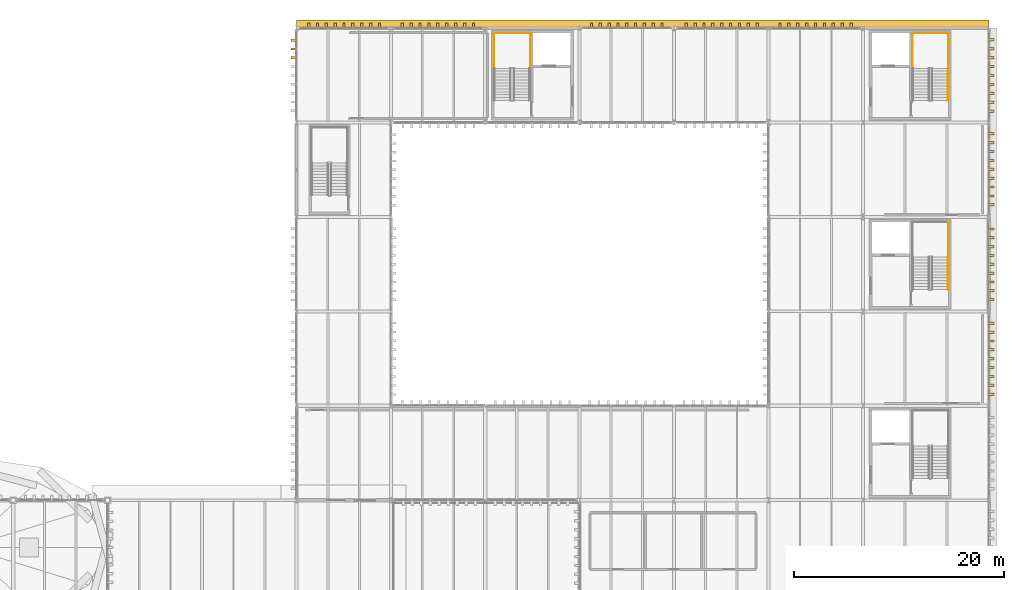
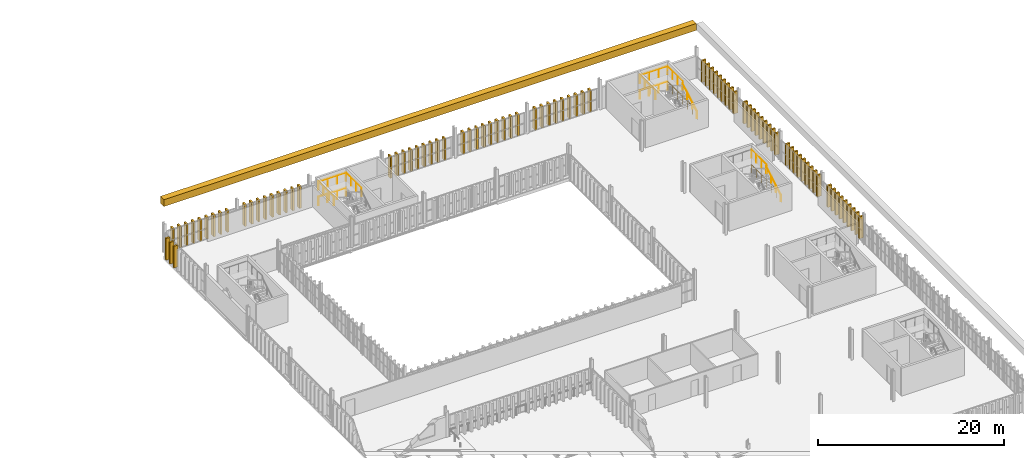
# One storey, part 102 of 102: 84 shading devices, 13 railings, 1 covering.
"""IFC4 building model written with IfcOpenShell, lengths in metres."""

from ifc_helpers import new_model, si_unit, direction, frame, origin, origin_2d, place, context, subcontext, project, spatial, rectangle, circle, extrude, material, layer, layer_set, type_object, element, save


model = new_model("IFC4")

# Units and contexts
model_context = context("Model", 3, precision=1e-05, world=origin(), true_north=direction((0.0, 1.0)))
body_context = subcontext(model_context, "Body", "Model", "MODEL_VIEW")
ifc_project = project(units=[si_unit("LENGTHUNIT", "METRE"), si_unit("AREAUNIT", "SQUARE_METRE"), si_unit("VOLUMEUNIT", "CUBIC_METRE"), si_unit("PLANEANGLEUNIT", "RADIAN"), si_unit("MASSUNIT", "GRAM", prefix="KILO")], contexts=[model_context])

# Site, building, storey
site_placement = place(None, origin())
site = spatial("IfcSite", under=ifc_project, at=site_placement, CompositionType="ELEMENT")
building_placement = place(site_placement, origin())
building = spatial("IfcBuilding", under=site, at=building_placement, Name="Barlavento Convention Centre", CompositionType="ELEMENT")
storey_placement = place(building_placement, frame((0.0, 0.0, 22.800048828125)))
storey = spatial("IfcBuildingStorey", under=building, at=storey_placement, Name="L04", CompositionType="ELEMENT", Elevation=22.800048828125)

# Covering
ifc_material_1 = material(Name="Macau dark grey granite cladding", Category="masonry")
ifc_layer = layer(ifc_material_1, 0.050048828125)
ifc_layer_set = layer_set([ifc_layer], Name="ARC-COV-CLAD-GRANITE")
covering_type = type_object("IfcCoveringType", Name="ARC-COV-CLAD-GRANITE", PredefinedType="CLADDING", material=ifc_layer_set)
covering_placement = place(storey_placement, frame((159.0, 99.39990234375, 6.10009765625), z_axis=(0.0, 0.0, 1.0), x_axis=(1.0, 0.0, 0.0)))
element("IfcCovering", 1, at=covering_placement, inside=storey, type_object=covering_type, Name="Postmodern stepped stone cornice band CLD01", PredefinedType="CLADDING", context=body_context, shape_type="SweptSolid", body=[
    extrude(rectangle(XDim=66.0, YDim=0.75, at=origin_2d()), origin(), (0.0, 0.0, 1.0), 0.89990234375),
])

# Railings
ifc_material_2 = material(Name="Stainless steel and laminated glass balustrade", Category="steel")
railing_type_1 = type_object("IfcRailingType", Name="ARC-RAL-BAL-1100", PredefinedType="BALUSTRADE", material=ifc_material_2)
railing_1_placement = place(storey_placement, frame((188.14990234375, 77.169921875, 2.0)))
element("IfcRailing", 2, at=railing_1_placement, inside=storey, type_object=railing_type_1, Name="L04 landing guard GR01", PredefinedType="BALUSTRADE", context=body_context, shape_type="SweptSolid", body=[
    extrude(circle(Radius=0.02392578125, at=origin_2d()), frame((0.0, 0.0, 1.076171875), z_axis=(0.0, 1.0, 0.0), x_axis=(-1.0, 0.0, 0.0)), (0.0, 0.0, 1.0), 3.360107421875),
    extrude(circle(Radius=0.02099609375, at=origin_2d()), origin(), (0.0, 0.0, 1.0), 1.052001953125),
    extrude(circle(Radius=0.02099609375, at=origin_2d()), frame((0.0, 1.1201171875, 0.0)), (0.0, 0.0, 1.0), 1.052001953125),
    extrude(circle(Radius=0.02099609375, at=origin_2d()), frame((0.0, 2.239990234375, 0.0)), (0.0, 0.0, 1.0), 1.052001953125),
    extrude(circle(Radius=0.02099609375, at=origin_2d()), frame((0.0, 3.360107421875, 0.0)), (0.0, 0.0, 1.0), 1.052001953125),
])
railing_2_placement = place(storey_placement, frame((188.14990234375, 74.114990234375, 0.0)))
element("IfcRailing", 3, at=railing_2_placement, inside=storey, type_object=railing_type_1, Name="L04 stairwell perimeter guard GR01", PredefinedType="BALUSTRADE", context=body_context, shape_type="SweptSolid", body=[
    extrude(circle(Radius=0.02392578125, at=origin_2d()), frame((0.0, 0.0, 1.076171875), z_axis=(0.0, 1.0, 0.0), x_axis=(-1.0, 0.0, 0.0)), (0.0, 0.0, 1.0), 6.4150390625),
    extrude(circle(Radius=0.02099609375, at=origin_2d()), origin(), (0.0, 0.0, 1.0), 1.052001953125),
    extrude(circle(Radius=0.02099609375, at=origin_2d()), frame((0.0, 1.069091796875, 0.0)), (0.0, 0.0, 1.0), 1.052001953125),
    extrude(circle(Radius=0.02099609375, at=origin_2d()), frame((0.0, 2.138427734375, 0.0)), (0.0, 0.0, 1.0), 1.052001953125),
    extrude(circle(Radius=0.02099609375, at=origin_2d()), frame((0.0, 3.20751953125, 0.0)), (0.0, 0.0, 1.0), 1.052001953125),
    extrude(circle(Radius=0.02099609375, at=origin_2d()), frame((0.0, 4.276611328125, 0.0)), (0.0, 0.0, 1.0), 1.052001953125),
    extrude(circle(Radius=0.02099609375, at=origin_2d()), frame((0.0, 5.345947265625, 0.0)), (0.0, 0.0, 1.0), 1.052001953125),
    extrude(circle(Radius=0.02099609375, at=origin_2d()), frame((0.0, 6.4150390625, 0.0)), (0.0, 0.0, 1.0), 1.052001953125),
])
for number, where, name in (
    (4, (188.14990234375, 95.169921875, 2.0), "L04 landing guard GR01"),
    (5, (184.7099609375, 95.169921875, 2.0), "L04 landing guard GR01"),
):
    element("IfcRailing", number, at=place(storey_placement, frame(where)), inside=storey, type_object=railing_type_1, Name=name, PredefinedType="BALUSTRADE", context=body_context, shape_type="SweptSolid", body=[
        extrude(circle(Radius=0.02392578125, at=origin_2d()), frame((0.0, 0.0, 1.076171875), z_axis=(0.0, 1.0, 0.0), x_axis=(-1.0, 0.0, 0.0)), (0.0, 0.0, 1.0), 3.360107421875),
        extrude(circle(Radius=0.02099609375, at=origin_2d()), origin(), (0.0, 0.0, 1.0), 1.052001953125),
        extrude(circle(Radius=0.02099609375, at=origin_2d()), frame((0.0, 1.1201171875, 0.0)), (0.0, 0.0, 1.0), 1.052001953125),
        extrude(circle(Radius=0.02099609375, at=origin_2d()), frame((0.0, 2.239990234375, 0.0)), (0.0, 0.0, 1.0), 1.052001953125),
        extrude(circle(Radius=0.02099609375, at=origin_2d()), frame((0.0, 3.360107421875, 0.0)), (0.0, 0.0, 1.0), 1.052001953125),
    ])
railing_3_placement = place(storey_placement, frame((188.14990234375, 98.530029296875, 2.0)))
element("IfcRailing", 6, at=railing_3_placement, inside=storey, type_object=railing_type_1, Name="L04 landing guard GR01", PredefinedType="BALUSTRADE", context=body_context, shape_type="SweptSolid", body=[
    extrude(circle(Radius=0.02392578125, at=origin_2d()), frame((0.0, 0.0, 1.076171875), z_axis=(-1.0, 0.0, 0.0), x_axis=(0.0, -1.0, 0.0)), (0.0, 0.0, 1.0), 3.43994140625),
    extrude(circle(Radius=0.02099609375, at=origin_2d()), origin(), (0.0, 0.0, 1.0), 1.052001953125),
    extrude(circle(Radius=0.02099609375, at=origin_2d()), frame((-1.146728515625, 0.0, 0.0)), (0.0, 0.0, 1.0), 1.052001953125),
    extrude(circle(Radius=0.02099609375, at=origin_2d()), frame((-2.293212890625, 0.0, 0.0)), (0.0, 0.0, 1.0), 1.052001953125),
    extrude(circle(Radius=0.02099609375, at=origin_2d()), frame((-3.43994140625, 0.0, 0.0)), (0.0, 0.0, 1.0), 1.052001953125),
])
railing_4_placement = place(storey_placement, frame((188.14990234375, 92.114990234375, 0.0)))
element("IfcRailing", 7, at=railing_4_placement, inside=storey, type_object=railing_type_1, Name="L04 stairwell perimeter guard GR01", PredefinedType="BALUSTRADE", context=body_context, shape_type="SweptSolid", body=[
    extrude(circle(Radius=0.02392578125, at=origin_2d()), frame((0.0, 0.0, 1.076171875), z_axis=(0.0, 1.0, 0.0), x_axis=(-1.0, 0.0, 0.0)), (0.0, 0.0, 1.0), 6.4150390625),
    extrude(circle(Radius=0.02099609375, at=origin_2d()), origin(), (0.0, 0.0, 1.0), 1.052001953125),
    extrude(circle(Radius=0.02099609375, at=origin_2d()), frame((0.0, 1.069091796875, 0.0)), (0.0, 0.0, 1.0), 1.052001953125),
    extrude(circle(Radius=0.02099609375, at=origin_2d()), frame((0.0, 2.138427734375, 0.0)), (0.0, 0.0, 1.0), 1.052001953125),
    extrude(circle(Radius=0.02099609375, at=origin_2d()), frame((0.0, 3.20751953125, 0.0)), (0.0, 0.0, 1.0), 1.052001953125),
    extrude(circle(Radius=0.02099609375, at=origin_2d()), frame((0.0, 4.276611328125, 0.0)), (0.0, 0.0, 1.0), 1.052001953125),
    extrude(circle(Radius=0.02099609375, at=origin_2d()), frame((0.0, 5.345947265625, 0.0)), (0.0, 0.0, 1.0), 1.052001953125),
    extrude(circle(Radius=0.02099609375, at=origin_2d()), frame((0.0, 6.4150390625, 0.0)), (0.0, 0.0, 1.0), 1.052001953125),
])
railing_5_placement = place(storey_placement, frame((188.14990234375, 98.530029296875, 0.0)))
element("IfcRailing", 8, at=railing_5_placement, inside=storey, type_object=railing_type_1, Name="L04 stairwell perimeter guard GR01", PredefinedType="BALUSTRADE", context=body_context, shape_type="SweptSolid", body=[
    extrude(circle(Radius=0.02392578125, at=origin_2d()), frame((0.0, 0.0, 1.076171875), z_axis=(-1.0, 0.0, 0.0), x_axis=(0.0, -1.0, 0.0)), (0.0, 0.0, 1.0), 3.43994140625),
    extrude(circle(Radius=0.02099609375, at=origin_2d()), origin(), (0.0, 0.0, 1.0), 1.052001953125),
    extrude(circle(Radius=0.02099609375, at=origin_2d()), frame((-1.146728515625, 0.0, 0.0)), (0.0, 0.0, 1.0), 1.052001953125),
    extrude(circle(Radius=0.02099609375, at=origin_2d()), frame((-2.293212890625, 0.0, 0.0)), (0.0, 0.0, 1.0), 1.052001953125),
    extrude(circle(Radius=0.02099609375, at=origin_2d()), frame((-3.43994140625, 0.0, 0.0)), (0.0, 0.0, 1.0), 1.052001953125),
])
for number, where, name in (
    (9, (148.2900390625, 95.169921875, 2.0), "L04 landing guard GR01"),
    (10, (144.85009765625, 95.169921875, 2.0), "L04 landing guard GR01"),
):
    element("IfcRailing", number, at=place(storey_placement, frame(where)), inside=storey, type_object=railing_type_1, Name=name, PredefinedType="BALUSTRADE", context=body_context, shape_type="SweptSolid", body=[
        extrude(circle(Radius=0.02392578125, at=origin_2d()), frame((0.0, 0.0, 1.076171875), z_axis=(0.0, 1.0, 0.0), x_axis=(-1.0, 0.0, 0.0)), (0.0, 0.0, 1.0), 3.360107421875),
        extrude(circle(Radius=0.02099609375, at=origin_2d()), origin(), (0.0, 0.0, 1.0), 1.052001953125),
        extrude(circle(Radius=0.02099609375, at=origin_2d()), frame((0.0, 1.1201171875, 0.0)), (0.0, 0.0, 1.0), 1.052001953125),
        extrude(circle(Radius=0.02099609375, at=origin_2d()), frame((0.0, 2.239990234375, 0.0)), (0.0, 0.0, 1.0), 1.052001953125),
        extrude(circle(Radius=0.02099609375, at=origin_2d()), frame((0.0, 3.360107421875, 0.0)), (0.0, 0.0, 1.0), 1.052001953125),
    ])
for number, where, name in (
    (11, (148.2900390625, 98.530029296875, 2.0), "L04 landing guard GR01"),
    (12, (148.2900390625, 98.530029296875, 0.0), "L04 stairwell perimeter guard GR01"),
):
    element("IfcRailing", number, at=place(storey_placement, frame(where)), inside=storey, type_object=railing_type_1, Name=name, PredefinedType="BALUSTRADE", context=body_context, shape_type="SweptSolid", body=[
        extrude(circle(Radius=0.02392578125, at=origin_2d()), frame((0.0, 0.0, 1.076171875), z_axis=(-1.0, 0.0, 0.0), x_axis=(0.0, -1.0, 0.0)), (0.0, 0.0, 1.0), 3.43994140625),
        extrude(circle(Radius=0.02099609375, at=origin_2d()), origin(), (0.0, 0.0, 1.0), 1.052001953125),
        extrude(circle(Radius=0.02099609375, at=origin_2d()), frame((-1.146728515625, 0.0, 0.0)), (0.0, 0.0, 1.0), 1.052001953125),
        extrude(circle(Radius=0.02099609375, at=origin_2d()), frame((-2.293212890625, 0.0, 0.0)), (0.0, 0.0, 1.0), 1.052001953125),
        extrude(circle(Radius=0.02099609375, at=origin_2d()), frame((-3.43994140625, 0.0, 0.0)), (0.0, 0.0, 1.0), 1.052001953125),
    ])
ifc_material_3 = material(Name="Brushed stainless steel tubular handrail", Category="steel")
railing_type_2 = type_object("IfcRailingType", Name="ARC-RAL-HR-900", PredefinedType="HANDRAIL", material=ifc_material_3)
for number, where, name in (
    (13, (188.10009765625, 74.090087890625, 0.16650390625), "L04 ST07 stair handrail 1"),
    (14, (188.10009765625, 92.090087890625, 0.16650390625), "L04 ST08 stair handrail 1"),
):
    element("IfcRailing", number, at=place(storey_placement, frame(where)), inside=storey, type_object=railing_type_2, Name=name, PredefinedType="HANDRAIL", context=body_context, shape_type="SweptSolid", body=[
        extrude(circle(Radius=0.02392578125, at=origin_2d()), frame((0.0, 0.0, 0.8759765625), z_axis=(0.0, 0.859260807169, 0.511537745687), x_axis=(-1.0, 0.0, 0.0)), (0.0, 0.0, 1.0), 3.584228515625),
        extrude(circle(Radius=0.02099609375, at=origin_2d()), origin(), (0.0, 0.0, 1.0), 0.851806640625),
        extrude(circle(Radius=0.02099609375, at=origin_2d()), frame((0.0, 1.026611328125, 0.611083984375)), (0.0, 0.0, 1.0), 0.851806640625),
        extrude(circle(Radius=0.02099609375, at=origin_2d()), frame((0.0, 2.05322265625, 1.222412109375)), (0.0, 0.0, 1.0), 0.851806640625),
        extrude(circle(Radius=0.02099609375, at=origin_2d()), frame((0.0, 3.079833984375, 1.83349609375)), (0.0, 0.0, 1.0), 0.851806640625),
    ])

# Shading devices
ifc_material_4 = material(Name="PVDF white extruded aluminium", Category="aluminium")
shading_device_type = type_object("IfcShadingDeviceType", Name="ARC-SHD-FIN-480", PredefinedType="USERDEFINED", material=ifc_material_4)
for number, where, z_axis, x_axis, name in (
    (15, (192.239990234375, 64.10546875, 0.0), (0.0, 0.0, 1.0), (0.0, 1.0, 0.0), "White vertical solar shading fin VF01"),
    (16, (192.239990234375, 64.950927734375, 0.0), (0.0, 0.0, 1.0), (0.0, 1.0, 0.0), "White vertical solar shading fin VF01"),
    (17, (192.239990234375, 65.79638671875, 0.0), (0.0, 0.0, 1.0), (0.0, 1.0, 0.0), "White vertical solar shading fin VF01"),
    (18, (192.239990234375, 66.64208984375, 0.0), (0.0, 0.0, 1.0), (0.0, 1.0, 0.0), "White vertical solar shading fin VF01"),
    (19, (192.239990234375, 67.487548828125, 0.0), (0.0, 0.0, 1.0), (0.0, 1.0, 0.0), "White vertical solar shading fin VF01"),
    (20, (192.239990234375, 68.3330078125, 0.0), (0.0, 0.0, 1.0), (0.0, 1.0, 0.0), "White vertical solar shading fin VF01"),
    (21, (192.239990234375, 69.178466796875, 0.0), (0.0, 0.0, 1.0), (0.0, 1.0, 0.0), "White vertical solar shading fin VF01"),
    (22, (192.239990234375, 70.02392578125, 0.0), (0.0, 0.0, 1.0), (0.0, 1.0, 0.0), "White vertical solar shading fin VF01"),
    (23, (192.239990234375, 70.869384765625, 0.0), (0.0, 0.0, 1.0), (0.0, 1.0, 0.0), "White vertical solar shading fin VF01"),
    (24, (192.239990234375, 73.12548828125, 0.0), (0.0, 0.0, 1.0), (0.0, 1.0, 0.0), "White vertical solar shading fin VF01"),
    (25, (192.239990234375, 73.966064453125, 0.0), (0.0, 0.0, 1.0), (0.0, 1.0, 0.0), "White vertical solar shading fin VF01"),
    (26, (192.239990234375, 74.806396484375, 0.0), (0.0, 0.0, 1.0), (0.0, 1.0, 0.0), "White vertical solar shading fin VF01"),
    (27, (192.239990234375, 75.64697265625, 0.0), (0.0, 0.0, 1.0), (0.0, 1.0, 0.0), "White vertical solar shading fin VF01"),
    (28, (192.239990234375, 76.487548828125, 0.0), (0.0, 0.0, 1.0), (0.0, 1.0, 0.0), "White vertical solar shading fin VF01"),
    (29, (192.239990234375, 77.327880859375, 0.0), (0.0, 0.0, 1.0), (0.0, 1.0, 0.0), "White vertical solar shading fin VF01"),
    (30, (192.239990234375, 78.16845703125, 0.0), (0.0, 0.0, 1.0), (0.0, 1.0, 0.0), "White vertical solar shading fin VF01"),
    (31, (192.239990234375, 79.009033203125, 0.0), (0.0, 0.0, 1.0), (0.0, 1.0, 0.0), "White vertical solar shading fin VF01"),
    (32, (192.239990234375, 79.849609375, 0.0), (0.0, 0.0, 1.0), (0.0, 1.0, 0.0), "White vertical solar shading fin VF01"),
    (33, (192.239990234375, 82.156005859375, 0.0), (0.0, 0.0, 1.0), (0.0, 1.0, 0.0), "White vertical solar shading fin VF01"),
    (34, (192.239990234375, 83.001953125, 0.0), (0.0, 0.0, 1.0), (0.0, 1.0, 0.0), "White vertical solar shading fin VF01"),
    (35, (192.239990234375, 83.847900390625, 0.0), (0.0, 0.0, 1.0), (0.0, 1.0, 0.0), "White vertical solar shading fin VF01"),
    (36, (192.239990234375, 84.694091796875, 0.0), (0.0, 0.0, 1.0), (0.0, 1.0, 0.0), "White vertical solar shading fin VF01"),
    (37, (192.239990234375, 85.5400390625, 0.0), (0.0, 0.0, 1.0), (0.0, 1.0, 0.0), "White vertical solar shading fin VF01"),
    (38, (192.239990234375, 86.385986328125, 0.0), (0.0, 0.0, 1.0), (0.0, 1.0, 0.0), "White vertical solar shading fin VF01"),
    (39, (192.239990234375, 87.23193359375, 0.0), (0.0, 0.0, 1.0), (0.0, 1.0, 0.0), "White vertical solar shading fin VF01"),
    (40, (192.239990234375, 88.077880859375, 0.0), (0.0, 0.0, 1.0), (0.0, 1.0, 0.0), "White vertical solar shading fin VF01"),
    (41, (192.239990234375, 88.924072265625, 0.0), (0.0, 0.0, 1.0), (0.0, 1.0, 0.0), "White vertical solar shading fin VF01"),
    (42, (192.239990234375, 91.0810546875, 0.0), (0.0, 0.0, 1.0), (0.0, 1.0, 0.0), "White vertical solar shading fin VF01"),
    (43, (192.239990234375, 91.931884765625, 0.0), (0.0, 0.0, 1.0), (0.0, 1.0, 0.0), "White vertical solar shading fin VF01"),
    (44, (192.239990234375, 92.782958984375, 0.0), (0.0, 0.0, 1.0), (0.0, 1.0, 0.0), "White vertical solar shading fin VF01"),
    (45, (192.239990234375, 93.634033203125, 0.0), (0.0, 0.0, 1.0), (0.0, 1.0, 0.0), "White vertical solar shading fin VF01"),
    (46, (192.239990234375, 94.485107421875, 0.0), (0.0, 0.0, 1.0), (0.0, 1.0, 0.0), "White vertical solar shading fin VF01"),
    (47, (192.239990234375, 95.3359375, 0.0), (0.0, 0.0, 1.0), (0.0, 1.0, 0.0), "White vertical solar shading fin VF01"),
    (48, (192.239990234375, 96.18701171875, 0.0), (0.0, 0.0, 1.0), (0.0, 1.0, 0.0), "White vertical solar shading fin VF01"),
    (49, (192.239990234375, 97.0380859375, 0.0), (0.0, 0.0, 1.0), (0.0, 1.0, 0.0), "White vertical solar shading fin VF01"),
    (50, (192.239990234375, 97.888916015625, 0.0), (0.0, 0.0, 1.0), (0.0, 1.0, 0.0), "White vertical solar shading fin VF01"),
    (51, (125.760009765625, 96.16845703125, 0.0), (0.0, 0.0, 1.0), (0.0, 1.0, 0.0), "White vertical solar shading fin VF01"),
    (52, (125.760009765625, 97.009033203125, 0.0), (0.0, 0.0, 1.0), (0.0, 1.0, 0.0), "White vertical solar shading fin VF01"),
    (53, (125.760009765625, 97.849609375, 0.0), (0.0, 0.0, 1.0), (0.0, 1.0, 0.0), "White vertical solar shading fin VF01"),
    (54, (127.1640625, 99.239990234375, 0.0), (0.0, 0.0, 1.0), (1.0, 0.0, 0.0), "White vertical solar shading fin VF01"),
    (55, (128.008056640625, 99.239990234375, 0.0), (0.0, 0.0, 1.0), (1.0, 0.0, 0.0), "White vertical solar shading fin VF01"),
    (56, (128.85205078125, 99.239990234375, 0.0), (0.0, 0.0, 1.0), (1.0, 0.0, 0.0), "White vertical solar shading fin VF01"),
    (57, (129.696044921875, 99.239990234375, 0.0), (0.0, 0.0, 1.0), (1.0, 0.0, 0.0), "White vertical solar shading fin VF01"),
    (58, (130.5400390625, 99.239990234375, 0.0), (0.0, 0.0, 1.0), (1.0, 0.0, 0.0), "White vertical solar shading fin VF01"),
    (59, (131.384033203125, 99.239990234375, 0.0), (0.0, 0.0, 1.0), (1.0, 0.0, 0.0), "White vertical solar shading fin VF01"),
    (60, (132.22802734375, 99.239990234375, 0.0), (0.0, 0.0, 1.0), (1.0, 0.0, 0.0), "White vertical solar shading fin VF01"),
    (61, (133.072021484375, 99.239990234375, 0.0), (0.0, 0.0, 1.0), (1.0, 0.0, 0.0), "White vertical solar shading fin VF01"),
    (62, (133.916015625, 99.239990234375, 0.0), (0.0, 0.0, 1.0), (1.0, 0.0, 0.0), "White vertical solar shading fin VF01"),
    (63, (136.089111328125, 99.239990234375, 0.0), (0.0, 0.0, 1.0), (1.0, 0.0, 0.0), "White vertical solar shading fin VF01"),
    (64, (136.93798828125, 99.239990234375, 0.0), (0.0, 0.0, 1.0), (1.0, 0.0, 0.0), "White vertical solar shading fin VF01"),
    (65, (137.787109375, 99.239990234375, 0.0), (0.0, 0.0, 1.0), (1.0, 0.0, 0.0), "White vertical solar shading fin VF01"),
    (66, (138.635986328125, 99.239990234375, 0.0), (0.0, 0.0, 1.0), (1.0, 0.0, 0.0), "White vertical solar shading fin VF01"),
    (67, (139.485107421875, 99.239990234375, 0.0), (0.0, 0.0, 1.0), (1.0, 0.0, 0.0), "White vertical solar shading fin VF01"),
    (68, (140.333984375, 99.239990234375, 0.0), (0.0, 0.0, 1.0), (1.0, 0.0, 0.0), "White vertical solar shading fin VF01"),
    (69, (141.18310546875, 99.239990234375, 0.0), (0.0, 0.0, 1.0), (1.0, 0.0, 0.0), "White vertical solar shading fin VF01"),
    (70, (142.031982421875, 99.239990234375, 0.0), (0.0, 0.0, 1.0), (1.0, 0.0, 0.0), "White vertical solar shading fin VF01"),
    (71, (142.881103515625, 99.239990234375, 0.0), (0.0, 0.0, 1.0), (1.0, 0.0, 0.0), "White vertical solar shading fin VF01"),
    (72, (154.133544921875, 99.239990234375, 0.0), (0.0, 0.0, 1.0), (1.0, 0.0, 0.0), "White vertical solar shading fin VF01"),
    (73, (154.971923828125, 99.239990234375, 0.0), (0.0, 0.0, 1.0), (1.0, 0.0, 0.0), "White vertical solar shading fin VF01"),
    (74, (155.810546875, 99.239990234375, 0.0), (0.0, 0.0, 1.0), (1.0, 0.0, 0.0), "White vertical solar shading fin VF01"),
    (75, (156.64892578125, 99.239990234375, 0.0), (0.0, 0.0, 1.0), (1.0, 0.0, 0.0), "White vertical solar shading fin VF01"),
    (76, (157.487548828125, 99.239990234375, 0.0), (0.0, 0.0, 1.0), (1.0, 0.0, 0.0), "White vertical solar shading fin VF01"),
    (77, (158.325927734375, 99.239990234375, 0.0), (0.0, 0.0, 1.0), (1.0, 0.0, 0.0), "White vertical solar shading fin VF01"),
    (78, (159.16455078125, 99.239990234375, 0.0), (0.0, 0.0, 1.0), (1.0, 0.0, 0.0), "White vertical solar shading fin VF01"),
    (79, (160.0029296875, 99.239990234375, 0.0), (0.0, 0.0, 1.0), (1.0, 0.0, 0.0), "White vertical solar shading fin VF01"),
    (80, (160.841552734375, 99.239990234375, 0.0), (0.0, 0.0, 1.0), (1.0, 0.0, 0.0), "White vertical solar shading fin VF01"),
    (81, (163.1640625, 99.239990234375, 0.0), (0.0, 0.0, 1.0), (1.0, 0.0, 0.0), "White vertical solar shading fin VF01"),
    (82, (164.008056640625, 99.239990234375, 0.0), (0.0, 0.0, 1.0), (1.0, 0.0, 0.0), "White vertical solar shading fin VF01"),
    (83, (164.85205078125, 99.239990234375, 0.0), (0.0, 0.0, 1.0), (1.0, 0.0, 0.0), "White vertical solar shading fin VF01"),
    (84, (165.696044921875, 99.239990234375, 0.0), (0.0, 0.0, 1.0), (1.0, 0.0, 0.0), "White vertical solar shading fin VF01"),
    (85, (166.5400390625, 99.239990234375, 0.0), (0.0, 0.0, 1.0), (1.0, 0.0, 0.0), "White vertical solar shading fin VF01"),
    (86, (167.384033203125, 99.239990234375, 0.0), (0.0, 0.0, 1.0), (1.0, 0.0, 0.0), "White vertical solar shading fin VF01"),
    (87, (168.22802734375, 99.239990234375, 0.0), (0.0, 0.0, 1.0), (1.0, 0.0, 0.0), "White vertical solar shading fin VF01"),
    (88, (169.072021484375, 99.239990234375, 0.0), (0.0, 0.0, 1.0), (1.0, 0.0, 0.0), "White vertical solar shading fin VF01"),
    (89, (169.916015625, 99.239990234375, 0.0), (0.0, 0.0, 1.0), (1.0, 0.0, 0.0), "White vertical solar shading fin VF01"),
    (90, (172.089111328125, 99.239990234375, 0.0), (0.0, 0.0, 1.0), (1.0, 0.0, 0.0), "White vertical solar shading fin VF01"),
    (91, (172.93798828125, 99.239990234375, 0.0), (0.0, 0.0, 1.0), (1.0, 0.0, 0.0), "White vertical solar shading fin VF01"),
    (92, (173.787109375, 99.239990234375, 0.0), (0.0, 0.0, 1.0), (1.0, 0.0, 0.0), "White vertical solar shading fin VF01"),
    (93, (174.635986328125, 99.239990234375, 0.0), (0.0, 0.0, 1.0), (1.0, 0.0, 0.0), "White vertical solar shading fin VF01"),
    (94, (175.485107421875, 99.239990234375, 0.0), (0.0, 0.0, 1.0), (1.0, 0.0, 0.0), "White vertical solar shading fin VF01"),
    (95, (176.333984375, 99.239990234375, 0.0), (0.0, 0.0, 1.0), (1.0, 0.0, 0.0), "White vertical solar shading fin VF01"),
    (96, (177.18310546875, 99.239990234375, 0.0), (0.0, 0.0, 1.0), (1.0, 0.0, 0.0), "White vertical solar shading fin VF01"),
    (97, (178.031982421875, 99.239990234375, 0.0), (0.0, 0.0, 1.0), (1.0, 0.0, 0.0), "White vertical solar shading fin VF01"),
    (98, (178.881103515625, 99.239990234375, 0.0), (0.0, 0.0, 1.0), (1.0, 0.0, 0.0), "White vertical solar shading fin VF01"),
):
    element("IfcShadingDevice", number, at=place(storey_placement, frame(where, z_axis=z_axis, x_axis=x_axis)), inside=storey, type_object=shading_device_type, Name=name, ObjectType="FIN", PredefinedType="USERDEFINED", context=body_context, shape_type="SweptSolid", body=[
        extrude(rectangle(XDim=0.219970703125, YDim=0.52001953125, at=origin_2d()), origin(), (0.0, 0.0, 1.0), 2.85009765625),
    ])

save(model, "model.ifc")
